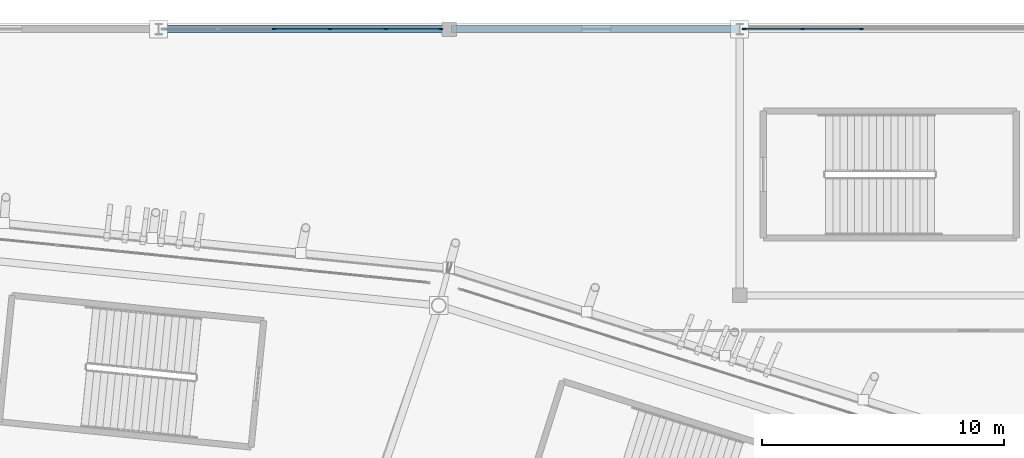
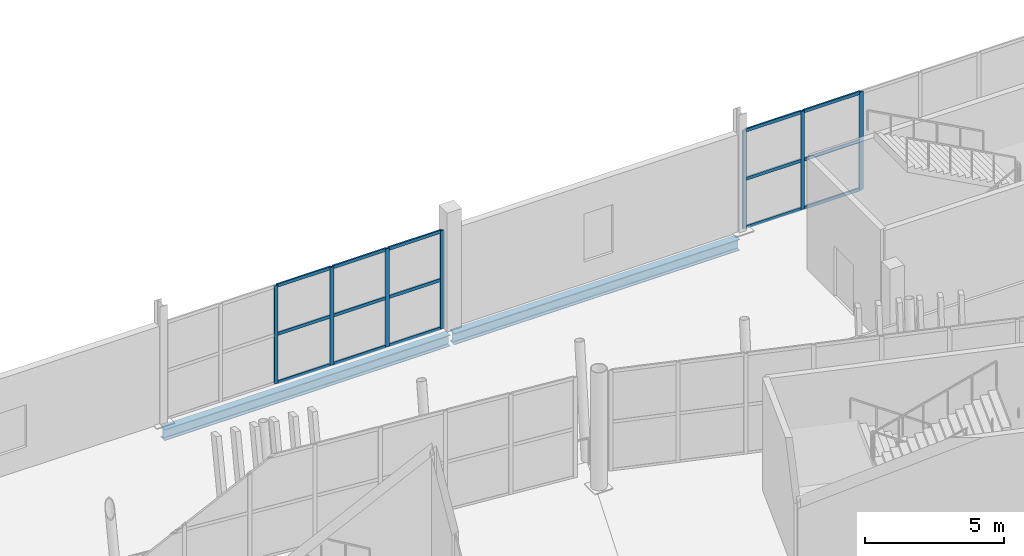
# One storey, part 86 of 178: 22 members, 2 beams, 2 elements without a shape of their own.
"""IFC4 building model written with IfcOpenShell, lengths in metres."""

import ifcopenshell
import ifcopenshell.guid

model = None  # the IFC model being written
_history = None  # IfcOwnerHistory: only IFC2X3 demands one
_inside = {}  # id of a spatial element -> (the spatial element, [elements in it])
_under = {}  # id of a project, library or spatial element -> (it, [spatial elements below it])
_declared = {}  # id of a project -> (the project, [libraries it declares])
_typed = {}  # id of a type object -> (the type object, [elements of that type])
_made_of = {}  # id of a material, layer set ... -> (it, [elements and type objects made of it])


def new_model(schema):
    """Start an empty IFC model of exactly this schema.

    Asked for "IFC4X3", IfcOpenShell would pick the latest addendum, in which some entities
    have other attributes; the version numbers below select the first issue.
    IFC2X3 requires an IfcOwnerHistory on every rooted entity: one is made here for all.
    """
    global model, _history
    if schema == "IFC4X3":
        model = ifcopenshell.file(schema_version=(4, 3, 0, 0))
    else:
        model = ifcopenshell.file(schema=schema)
    _inside.clear()
    _under.clear()
    _declared.clear()
    _typed.clear()
    _made_of.clear()
    _history = None
    if model.schema == "IFC2X3":
        org = make("IfcOrganization", Name="unknown")
        user = make(
            "IfcPersonAndOrganization",
            ThePerson=make("IfcPerson", FamilyName="unknown"),
            TheOrganization=org,
        )
        app = make(
            "IfcApplication",
            ApplicationDeveloper=org,
            Version="unknown",
            ApplicationFullName="unknown",
            ApplicationIdentifier="unknown",
        )
        _history = make(
            "IfcOwnerHistory",
            OwningUser=user,
            OwningApplication=app,
            ChangeAction="ADDED",
            CreationDate=0,
        )
    return model


def make(cls, **values):
    """One entity of the class cls with the attributes given. An attribute that is None is left unset."""
    return model.create_entity(
        cls, **{name: value for name, value in values.items() if value is not None}
    )


def rooted(cls, **values):
    """An entity with a GlobalId (a new one), such as an element, a storey or a relation."""
    return make(cls, GlobalId=ifcopenshell.guid.new(), OwnerHistory=_history, **values)


def si_unit(unit_type, name, prefix=None):
    """IfcSIUnit, for example si_unit("LENGTHUNIT", "METRE", prefix="MILLI")."""
    return make("IfcSIUnit", UnitType=unit_type, Prefix=prefix, Name=name)


def assignment(units):
    """IfcUnitAssignment: the units of a project."""
    return None if units is None else make("IfcUnitAssignment", Units=units)


def point(xyz):
    """IfcCartesianPoint."""
    return None if xyz is None else make("IfcCartesianPoint", Coordinates=xyz)


def direction(xyz):
    """IfcDirection."""
    return None if xyz is None else make("IfcDirection", DirectionRatios=xyz)


def frame(location, z_axis=None, x_axis=None):
    """IfcAxis2Placement3D, a coordinate frame: its origin and axes. An axis left out is left unset."""
    return make(
        "IfcAxis2Placement3D",
        Location=point(location),
        Axis=direction(z_axis),
        RefDirection=direction(x_axis),
    )


def frame_2d(location, x_axis=None):
    """IfcAxis2Placement2D, a coordinate frame in the plane: its origin and x axis."""
    return make(
        "IfcAxis2Placement2D", Location=point(location), RefDirection=direction(x_axis)
    )


def origin():
    """The frame at (0, 0, 0) with its axes left unset."""
    return frame((0.0, 0.0, 0.0))


def origin_2d():
    """The frame at (0, 0) in the plane with its x axis left unset."""
    return frame_2d((0.0, 0.0))


def place(relative_to, where):
    """IfcLocalPlacement: puts the frame where relative to a parent placement (None: the world)."""
    return make(
        "IfcLocalPlacement", PlacementRelTo=relative_to, RelativePlacement=where
    )


def context(
    kind, dimensions, precision=None, world=None, true_north=None, identifier=None
):
    """IfcGeometricRepresentationContext, for example the 3D "Model" context."""
    return make(
        "IfcGeometricRepresentationContext",
        ContextIdentifier=identifier,
        ContextType=kind,
        CoordinateSpaceDimension=dimensions,
        Precision=precision,
        WorldCoordinateSystem=world,
        TrueNorth=true_north,
    )


def subcontext(parent, identifier, kind, view, scale=None):
    """IfcGeometricRepresentationSubContext, for example "Body" below "Model"."""
    return make(
        "IfcGeometricRepresentationSubContext",
        ContextIdentifier=identifier,
        ContextType=kind,
        ParentContext=parent,
        TargetScale=scale,
        TargetView=view,
    )


def project(units=None, contexts=None):
    """IfcProject with its units and contexts."""
    return rooted(
        "IfcProject",
        Name="project",
        RepresentationContexts=contexts,
        UnitsInContext=assignment(units),
    )


def spatial(cls, under=None, at=None, **own):
    """A site, building, storey or space (cls), placed at a placement, below another one or the project."""
    s = rooted(cls, ObjectPlacement=at, **own)
    if under is not None:
        _under.setdefault(under.id(), (under, []))[1].append(s)
    return s


def profile(cls, at=None, kind="AREA", **sizes):
    """A parametric profile (cls). Its sizes go by their IFC names, for example OverallWidth=200.0."""
    return make(cls, ProfileType=kind, Position=at, **sizes)


def rectangle(**sizes):
    """IfcRectangleProfileDef."""
    return profile("IfcRectangleProfileDef", **sizes)


def i_section(**sizes):
    """IfcIShapeProfileDef."""
    return profile("IfcIShapeProfileDef", **sizes)


def extrude(swept, where, along, depth):
    """IfcExtrudedAreaSolid: the profile swept, set in the frame where, extruded along a direction by depth."""
    return make(
        "IfcExtrudedAreaSolid",
        SweptArea=swept,
        Position=where,
        ExtrudedDirection=direction(along),
        Depth=depth,
    )


def shape(context_of_items, identifier, shape_type, items):
    """IfcShapeRepresentation: the items that make up one representation, for example the "Body"."""
    return make(
        "IfcShapeRepresentation",
        ContextOfItems=context_of_items,
        RepresentationIdentifier=identifier,
        RepresentationType=shape_type,
        Items=items,
    )


def material(Name=None, Category=None):
    """IfcMaterial."""
    return make("IfcMaterial", Name=Name, Category=Category)


def material_profile(
    of_material, cross_section, Name=None, Category=None, Priority=None
):
    """IfcMaterialProfile: a cross section and its material."""
    return make(
        "IfcMaterialProfile",
        Name=Name,
        Material=of_material,
        Profile=cross_section,
        Priority=Priority,
        Category=Category,
    )


def profile_set(profiles, Name=None, composite=None):
    """IfcMaterialProfileSet."""
    return make(
        "IfcMaterialProfileSet",
        Name=Name,
        MaterialProfiles=profiles,
        CompositeProfile=composite,
    )


def made_of(thing, what):
    """Note that an element or type object is made of a material, layer set ...; save() writes the relation."""
    if what is not None:
        _made_of.setdefault(what.id(), (what, []))[1].append(thing)
    return thing


def type_object(cls, material=None, **own):
    """A type object (cls), such as IfcWallType, which elements share."""
    return made_of(rooted(cls, **own), material)


def element(
    cls,
    number,
    at=None,
    inside=None,
    cuts=None,
    type_object=None,
    material=None,
    context=None,
    identifier="Body",
    shape_type=None,
    held_by="IfcProductDefinitionShape",
    body=None,
    shapes=None,
    **own,
):
    """One element of the class cls, such as IfcWall. Its Tag is "e" and its number.

    at: its placement. inside: the storey or other place that contains it. cuts: it is an
    opening in that element (IfcRelVoidsElement). A single representation is given by context,
    identifier, shape_type and body (its items); several are given by shapes. held_by: the class
    of the entity that holds the representations. save() writes the other relations.
    """
    e = rooted(cls, Tag="e%d" % number, ObjectPlacement=at, **own)
    if body is not None:
        shapes = [shape(context, identifier, shape_type, body)]
    if shapes is not None:
        e.Representation = make(held_by, Representations=shapes)
    if inside is not None:
        _inside.setdefault(inside.id(), (inside, []))[1].append(e)
    if cuts is not None:
        rooted(
            "IfcRelVoidsElement", RelatingBuildingElement=cuts, RelatedOpeningElement=e
        )
    if type_object is not None:
        _typed.setdefault(type_object.id(), (type_object, []))[1].append(e)
    return made_of(e, material)


def aggregate(whole, parts):
    """IfcRelAggregates: a whole, such as a stair, and the parts it consists of."""
    return rooted("IfcRelAggregates", RelatingObject=whole, RelatedObjects=parts)


def save(model, path):
    """Write the relations noted so far, then the file.

    IfcRelAggregates (storeys below a building ...), IfcRelContainedInSpatialStructure (elements
    in a storey), IfcRelDefinesByType, IfcRelAssociatesMaterial and IfcRelDeclares: one each for
    every whole, place, type object, material and project.
    """
    for whole, parts in _under.values():
        aggregate(whole, parts)
    for where, things in _inside.values():
        rooted(
            "IfcRelContainedInSpatialStructure",
            RelatedElements=things,
            RelatingStructure=where,
        )
    for kind, things in _typed.values():
        rooted("IfcRelDefinesByType", RelatedObjects=things, RelatingType=kind)
    for what, things in _made_of.values():
        rooted("IfcRelAssociatesMaterial", RelatedObjects=things, RelatingMaterial=what)
    for by, libraries in _declared.values():
        rooted("IfcRelDeclares", RelatingContext=by, RelatedDefinitions=libraries)
    model.write(path)


model = new_model("IFC4")

# Units and contexts
model_context = context("Model", 3, precision=1e-05, world=origin(), true_north=direction((0.0, 1.0)))
body_context = subcontext(model_context, "Body", "Model", "MODEL_VIEW")
ifc_project = project(units=[si_unit("LENGTHUNIT", "METRE"), si_unit("AREAUNIT", "SQUARE_METRE"), si_unit("VOLUMEUNIT", "CUBIC_METRE"), si_unit("PLANEANGLEUNIT", "RADIAN"), si_unit("MASSUNIT", "GRAM", prefix="KILO")], contexts=[model_context])

# Site, building, storey
site_placement = place(None, origin())
site = spatial("IfcSite", under=ifc_project, at=site_placement, CompositionType="ELEMENT")
building_placement = place(site_placement, origin())
building = spatial("IfcBuilding", under=site, at=building_placement, Name="Zlatoyarsky Gate Stadium", CompositionType="ELEMENT")
storey_placement = place(building_placement, frame((0.0, 0.0, 5.39990234375)))
storey = spatial("IfcBuildingStorey", under=building, at=storey_placement, Name="L01", CompositionType="ELEMENT", Elevation=5.39990234375)

# Curtain wall, members
ifc_material_1 = material(Name="Thermally broken anodised aluminium curtain wall", Category="aluminium")
curtain_wall_type = type_object("IfcCurtainWallType", Name="WINTER GARDEN CONSERVATORY GLAZING", PredefinedType="USERDEFINED", material=ifc_material_1)
curtain_wall_1_placement = place(storey_placement, origin())
curtain_wall_1 = element("IfcCurtainWall", 1, at=curtain_wall_1_placement, inside=storey, type_object=curtain_wall_type, Name="Curtain wall CW-V2_NORTH-L01-147", ObjectType="UNITISED GLAZING", PredefinedType="USERDEFINED")
ifc_material_2 = material(Name="Anodised aluminium 6063-T6", Category="aluminium")
ifc_material_profile_1 = material_profile(ifc_material_2, rectangle(XDim=0.06494140625, YDim=0.159912109375, at=origin_2d()), Name="ALU 65X160")
ifc_profile_set_1 = profile_set([ifc_material_profile_1], Name="Anodised aluminium 6063-T6")
member_type_1 = type_object("IfcMemberType", Name="ALUMINIUM MULLION 65X160", PredefinedType="MULLION", material=ifc_profile_set_1)
member_1_placement = place(storey_placement, frame((128.2724609375, 160.0, 0.0), z_axis=(0.0, 0.0, 1.0), x_axis=(0.0, 1.0, 0.0)))
member_1 = element("IfcMember", 2, at=member_1_placement, type_object=member_type_1, Name="CW-WG1 mullion 3", PredefinedType="MULLION", context=body_context, shape_type="SweptSolid", body=[
    extrude(rectangle(XDim=0.06494140625, YDim=0.159912109375, at=origin_2d()), origin(), (0.0, 0.0, 1.0), 4.300048828125),
])
member_2_placement = place(storey_placement, frame((130.57763671875, 160.0, 0.0), z_axis=(0.0, 0.0, 1.0), x_axis=(0.0, 1.0, 0.0)))
member_2 = element("IfcMember", 3, at=member_2_placement, type_object=member_type_1, Name="CW-WG1 mullion 4", PredefinedType="MULLION", context=body_context, shape_type="SweptSolid", body=[
    extrude(rectangle(XDim=0.06494140625, YDim=0.159912109375, at=origin_2d()), origin(), (0.0, 0.0, 1.0), 4.300048828125),
])
member_3_placement = place(storey_placement, frame((132.8828125, 160.0, 0.0), z_axis=(0.0, 0.0, 1.0), x_axis=(0.0, 1.0, 0.0)))
member_3 = element("IfcMember", 4, at=member_3_placement, type_object=member_type_1, Name="CW-WG1 mullion 5", PredefinedType="MULLION", context=body_context, shape_type="SweptSolid", body=[
    extrude(rectangle(XDim=0.06494140625, YDim=0.159912109375, at=origin_2d()), origin(), (0.0, 0.0, 1.0), 4.300048828125),
])
member_4_placement = place(storey_placement, frame((135.155517578125, 160.0, 0.0), z_axis=(0.0, 0.0, 1.0), x_axis=(0.0, 1.0, 0.0)))
member_4 = element("IfcMember", 5, at=member_4_placement, type_object=member_type_1, Name="CW-WG1 mullion 6", PredefinedType="MULLION", context=body_context, shape_type="SweptSolid", body=[
    extrude(rectangle(XDim=0.06494140625, YDim=0.159912109375, at=origin_2d()), origin(), (0.0, 0.0, 1.0), 4.300048828125),
])

curtain_wall_2_placement = place(storey_placement, origin())
curtain_wall_2 = element("IfcCurtainWall", 6, at=curtain_wall_2_placement, inside=storey, type_object=curtain_wall_type, Name="Curtain wall CW-V2_NORTH-L01-148", ObjectType="UNITISED GLAZING", PredefinedType="USERDEFINED")
member_5_placement = place(storey_placement, frame((147.694580078125, 160.0, 0.0), z_axis=(0.0, 0.0, 1.0), x_axis=(0.0, 1.0, 0.0)))
member_5 = element("IfcMember", 7, at=member_5_placement, type_object=member_type_1, Name="CW-WG1 mullion 1", PredefinedType="MULLION", context=body_context, shape_type="SweptSolid", body=[
    extrude(rectangle(XDim=0.06494140625, YDim=0.159912109375, at=origin_2d()), origin(), (0.0, 0.0, 1.0), 4.300048828125),
])
member_6_placement = place(storey_placement, frame((150.09716796875, 160.0, 0.0), z_axis=(0.0, 0.0, 1.0), x_axis=(0.0, 1.0, 0.0)))
member_6 = element("IfcMember", 8, at=member_6_placement, type_object=member_type_1, Name="CW-WG1 mullion 2", PredefinedType="MULLION", context=body_context, shape_type="SweptSolid", body=[
    extrude(rectangle(XDim=0.06494140625, YDim=0.159912109375, at=origin_2d()), origin(), (0.0, 0.0, 1.0), 4.300048828125),
])
member_7_placement = place(storey_placement, frame((152.532470703125, 160.0, 0.0), z_axis=(0.0, 0.0, 1.0), x_axis=(0.0, 1.0, 0.0)))
member_7 = element("IfcMember", 9, at=member_7_placement, type_object=member_type_1, Name="CW-WG1 mullion 3", PredefinedType="MULLION", context=body_context, shape_type="SweptSolid", body=[
    extrude(rectangle(XDim=0.06494140625, YDim=0.159912109375, at=origin_2d()), origin(), (0.0, 0.0, 1.0), 4.300048828125),
])

# Member
ifc_material_profile_2 = material_profile(ifc_material_2, rectangle(XDim=0.06494140625, YDim=0.139892578125, at=origin_2d()), Name="ALU 65X140")
ifc_profile_set_2 = profile_set([ifc_material_profile_2], Name="Anodised aluminium 6063-T6")
member_type_2 = type_object("IfcMemberType", Name="ALUMINIUM TRANSOM 65X140", PredefinedType="USERDEFINED", material=ifc_profile_set_2)
member_8_placement = place(storey_placement, frame((128.304931640625, 160.0, 0.03271484375), z_axis=(1.0, 0.0, 0.0), x_axis=(0.0, 1.0, 0.0)))
member_8 = element("IfcMember", 10, at=member_8_placement, type_object=member_type_2, Name="CW-WG1 transom 3.1", ObjectType="TRANSOM", PredefinedType="USERDEFINED", context=body_context, shape_type="SweptSolid", body=[
    extrude(rectangle(XDim=0.06494140625, YDim=0.139892578125, at=origin_2d()), origin(), (0.0, 0.0, 1.0), 2.240234375),
])

member_9_placement = place(storey_placement, frame((128.304931640625, 160.0, 2.150146484375), z_axis=(1.0, 0.0, 0.0), x_axis=(0.0, 1.0, 0.0)))
member_9 = element("IfcMember", 11, at=member_9_placement, type_object=member_type_2, Name="CW-WG1 transom 3.2", ObjectType="TRANSOM", PredefinedType="USERDEFINED", context=body_context, shape_type="SweptSolid", body=[
    extrude(rectangle(XDim=0.06494140625, YDim=0.139892578125, at=origin_2d()), origin(), (0.0, 0.0, 1.0), 2.240234375),
])

member_10_placement = place(storey_placement, frame((128.304931640625, 160.0, 4.267578125), z_axis=(1.0, 0.0, 0.0), x_axis=(0.0, 1.0, 0.0)))
member_10 = element("IfcMember", 12, at=member_10_placement, type_object=member_type_2, Name="CW-WG1 transom 3.3", ObjectType="TRANSOM", PredefinedType="USERDEFINED", context=body_context, shape_type="SweptSolid", body=[
    extrude(rectangle(XDim=0.06494140625, YDim=0.139892578125, at=origin_2d()), origin(), (0.0, 0.0, 1.0), 2.240234375),
])

member_11_placement = place(storey_placement, frame((130.610107421875, 160.0, 0.03271484375), z_axis=(1.0, 0.0, 0.0), x_axis=(0.0, 1.0, 0.0)))
member_11 = element("IfcMember", 13, at=member_11_placement, type_object=member_type_2, Name="CW-WG1 transom 4.1", ObjectType="TRANSOM", PredefinedType="USERDEFINED", context=body_context, shape_type="SweptSolid", body=[
    extrude(rectangle(XDim=0.06494140625, YDim=0.139892578125, at=origin_2d()), origin(), (0.0, 0.0, 1.0), 2.240234375),
])

member_12_placement = place(storey_placement, frame((130.610107421875, 160.0, 2.150146484375), z_axis=(1.0, 0.0, 0.0), x_axis=(0.0, 1.0, 0.0)))
member_12 = element("IfcMember", 14, at=member_12_placement, type_object=member_type_2, Name="CW-WG1 transom 4.2", ObjectType="TRANSOM", PredefinedType="USERDEFINED", context=body_context, shape_type="SweptSolid", body=[
    extrude(rectangle(XDim=0.06494140625, YDim=0.139892578125, at=origin_2d()), origin(), (0.0, 0.0, 1.0), 2.240234375),
])

member_13_placement = place(storey_placement, frame((130.610107421875, 160.0, 4.267578125), z_axis=(1.0, 0.0, 0.0), x_axis=(0.0, 1.0, 0.0)))
member_13 = element("IfcMember", 15, at=member_13_placement, type_object=member_type_2, Name="CW-WG1 transom 4.3", ObjectType="TRANSOM", PredefinedType="USERDEFINED", context=body_context, shape_type="SweptSolid", body=[
    extrude(rectangle(XDim=0.06494140625, YDim=0.139892578125, at=origin_2d()), origin(), (0.0, 0.0, 1.0), 2.240234375),
])

member_14_placement = place(storey_placement, frame((132.915283203125, 160.0, 0.03271484375), z_axis=(1.0, 0.0, 0.0), x_axis=(0.0, 1.0, 0.0)))
member_14 = element("IfcMember", 16, at=member_14_placement, type_object=member_type_2, Name="CW-WG1 transom 5.1", ObjectType="TRANSOM", PredefinedType="USERDEFINED", context=body_context, shape_type="SweptSolid", body=[
    extrude(rectangle(XDim=0.06494140625, YDim=0.139892578125, at=origin_2d()), origin(), (0.0, 0.0, 1.0), 2.207763671875),
])

member_15_placement = place(storey_placement, frame((132.915283203125, 160.0, 2.150146484375), z_axis=(1.0, 0.0, 0.0), x_axis=(0.0, 1.0, 0.0)))
member_15 = element("IfcMember", 17, at=member_15_placement, type_object=member_type_2, Name="CW-WG1 transom 5.2", ObjectType="TRANSOM", PredefinedType="USERDEFINED", context=body_context, shape_type="SweptSolid", body=[
    extrude(rectangle(XDim=0.06494140625, YDim=0.139892578125, at=origin_2d()), origin(), (0.0, 0.0, 1.0), 2.207763671875),
])

member_16_placement = place(storey_placement, frame((132.915283203125, 160.0, 4.267578125), z_axis=(1.0, 0.0, 0.0), x_axis=(0.0, 1.0, 0.0)))
member_16 = element("IfcMember", 18, at=member_16_placement, type_object=member_type_2, Name="CW-WG1 transom 5.3", ObjectType="TRANSOM", PredefinedType="USERDEFINED", context=body_context, shape_type="SweptSolid", body=[
    extrude(rectangle(XDim=0.06494140625, YDim=0.139892578125, at=origin_2d()), origin(), (0.0, 0.0, 1.0), 2.207763671875),
])

aggregate(curtain_wall_1, [member_1, member_2, member_3, member_4, member_8, member_9, member_10, member_11, member_12, member_13, member_14, member_15, member_16])

member_17_placement = place(storey_placement, frame((147.72705078125, 160.0, 0.03271484375), z_axis=(1.0, 0.0, 0.0), x_axis=(0.0, 1.0, 0.0)))
member_17 = element("IfcMember", 19, at=member_17_placement, type_object=member_type_2, Name="CW-WG1 transom 1.1", ObjectType="TRANSOM", PredefinedType="USERDEFINED", context=body_context, shape_type="SweptSolid", body=[
    extrude(rectangle(XDim=0.06494140625, YDim=0.139892578125, at=origin_2d()), origin(), (0.0, 0.0, 1.0), 2.337646484375),
])

member_18_placement = place(storey_placement, frame((147.72705078125, 160.0, 2.150146484375), z_axis=(1.0, 0.0, 0.0), x_axis=(0.0, 1.0, 0.0)))
member_18 = element("IfcMember", 20, at=member_18_placement, type_object=member_type_2, Name="CW-WG1 transom 1.2", ObjectType="TRANSOM", PredefinedType="USERDEFINED", context=body_context, shape_type="SweptSolid", body=[
    extrude(rectangle(XDim=0.06494140625, YDim=0.139892578125, at=origin_2d()), origin(), (0.0, 0.0, 1.0), 2.337646484375),
])

member_19_placement = place(storey_placement, frame((147.72705078125, 160.0, 4.267578125), z_axis=(1.0, 0.0, 0.0), x_axis=(0.0, 1.0, 0.0)))
member_19 = element("IfcMember", 21, at=member_19_placement, type_object=member_type_2, Name="CW-WG1 transom 1.3", ObjectType="TRANSOM", PredefinedType="USERDEFINED", context=body_context, shape_type="SweptSolid", body=[
    extrude(rectangle(XDim=0.06494140625, YDim=0.139892578125, at=origin_2d()), origin(), (0.0, 0.0, 1.0), 2.337646484375),
])

member_20_placement = place(storey_placement, frame((150.129638671875, 160.0, 0.03271484375), z_axis=(1.0, 0.0, 0.0), x_axis=(0.0, 1.0, 0.0)))
member_20 = element("IfcMember", 22, at=member_20_placement, type_object=member_type_2, Name="CW-WG1 transom 2.1", ObjectType="TRANSOM", PredefinedType="USERDEFINED", context=body_context, shape_type="SweptSolid", body=[
    extrude(rectangle(XDim=0.06494140625, YDim=0.139892578125, at=origin_2d()), origin(), (0.0, 0.0, 1.0), 2.370361328125),
])

member_21_placement = place(storey_placement, frame((150.129638671875, 160.0, 2.150146484375), z_axis=(1.0, 0.0, 0.0), x_axis=(0.0, 1.0, 0.0)))
member_21 = element("IfcMember", 23, at=member_21_placement, type_object=member_type_2, Name="CW-WG1 transom 2.2", ObjectType="TRANSOM", PredefinedType="USERDEFINED", context=body_context, shape_type="SweptSolid", body=[
    extrude(rectangle(XDim=0.06494140625, YDim=0.139892578125, at=origin_2d()), origin(), (0.0, 0.0, 1.0), 2.370361328125),
])

member_22_placement = place(storey_placement, frame((150.129638671875, 160.0, 4.267578125), z_axis=(1.0, 0.0, 0.0), x_axis=(0.0, 1.0, 0.0)))
member_22 = element("IfcMember", 24, at=member_22_placement, type_object=member_type_2, Name="CW-WG1 transom 2.3", ObjectType="TRANSOM", PredefinedType="USERDEFINED", context=body_context, shape_type="SweptSolid", body=[
    extrude(rectangle(XDim=0.06494140625, YDim=0.139892578125, at=origin_2d()), origin(), (0.0, 0.0, 1.0), 2.370361328125),
])

aggregate(curtain_wall_2, [member_5, member_6, member_7, member_17, member_18, member_19, member_20, member_21, member_22])

# Beams
ifc_material_3 = material(Name="Steel S355", Category="steel")
ifc_material_profile_3 = material_profile(ifc_material_3, i_section(OverallWidth=0.300048828125, OverallDepth=0.5, WebThickness=0.014404296875, FlangeThickness=0.028076171875, FilletRadius=0.027099609375, at=origin_2d()), Name="HEB 500")
ifc_profile_set_3 = profile_set([ifc_material_profile_3], Name="Steel S355")
beam_type = type_object("IfcBeamType", Name="STEEL PRIMARY GIRDER HEB 500", PredefinedType="BEAM", material=ifc_profile_set_3)
for number, where, z_axis, x_axis, name in (
    (25, (123.580078125, 160.0, -0.5498046875), (1.0, 0.0, 0.0), (0.0, 1.0, 0.0), "Beam G-HEB500 BM-L01-WGX-11-Q"),
    (26, (135.580078125, 160.0, -0.5498046875), (1.0, 0.0, 0.0), (0.0, 1.0, 0.0), "Beam G-HEB500 BM-L01-WGX-12-Q"),
):
    element("IfcBeam", number, at=place(storey_placement, frame(where, z_axis=z_axis, x_axis=x_axis)), inside=storey, type_object=beam_type, Name=name, PredefinedType="BEAM", context=body_context, shape_type="SweptSolid", body=[
        extrude(i_section(OverallWidth=0.300048828125, OverallDepth=0.5, WebThickness=0.014404296875, FlangeThickness=0.028076171875, FilletRadius=0.027099609375, at=origin_2d()), origin(), (0.0, 0.0, 1.0), 11.83984375),
    ])

save(model, "model.ifc")
